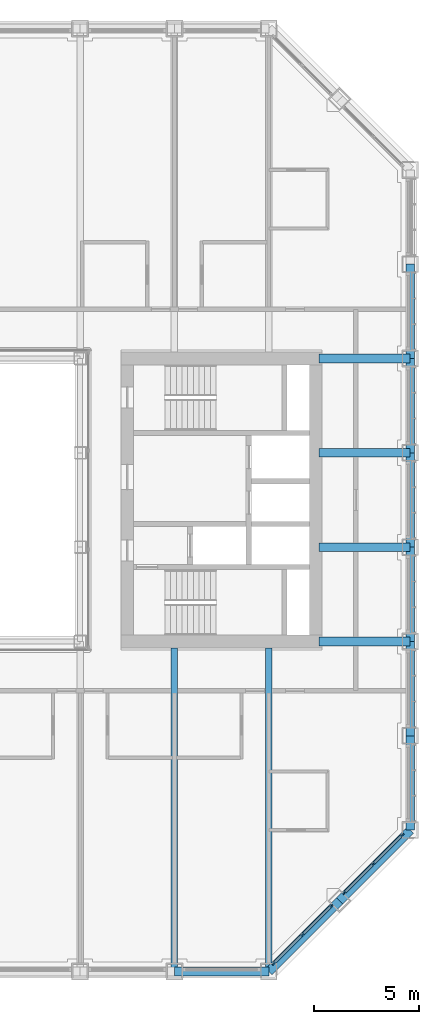
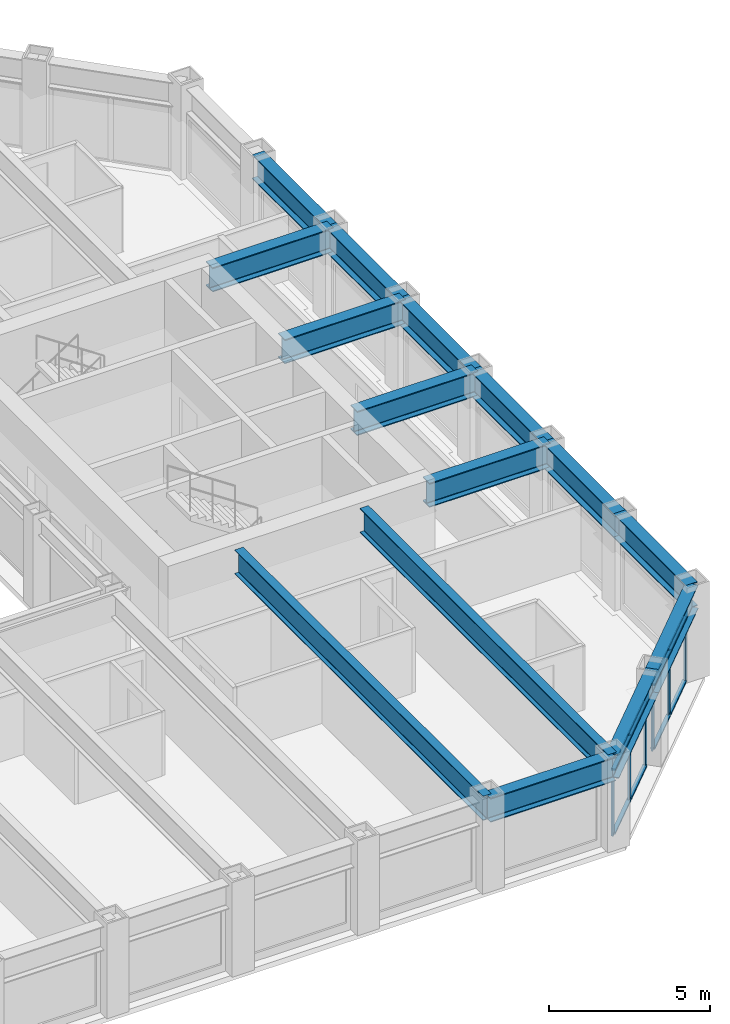
# One storey, part 6 of 17: 15 beams, 14 members, 2 elements without a shape of their own.
"""IFC4 building model written with IfcOpenShell, lengths in metres."""

from ifc_helpers import new_model, si_unit, direction, frame, origin, origin_2d, place, context, subcontext, project, spatial, rectangle, i_section, extrude, material, material_profile, profile_set, type_object, element, aggregate, save


model = new_model("IFC4")

# Units and contexts
model_context = context("Model", 3, precision=1e-05, world=origin(), true_north=direction((0.0, 1.0)))
body_context = subcontext(model_context, "Body", "Model", "MODEL_VIEW")
ifc_project = project(units=[si_unit("LENGTHUNIT", "METRE"), si_unit("AREAUNIT", "SQUARE_METRE"), si_unit("VOLUMEUNIT", "CUBIC_METRE"), si_unit("PLANEANGLEUNIT", "RADIAN"), si_unit("MASSUNIT", "GRAM", prefix="KILO")], contexts=[model_context])

# Site, building, storey
site_placement = place(None, origin())
site = spatial("IfcSite", under=ifc_project, at=site_placement, CompositionType="ELEMENT")
building_placement = place(site_placement, origin())
building = spatial("IfcBuilding", under=site, at=building_placement, Name="Msasa Ring Tower", CompositionType="ELEMENT")
storey_placement = place(building_placement, frame((0.0, 0.0, 132.800048828125)))
storey = spatial("IfcBuildingStorey", under=building, at=storey_placement, Name="L34", CompositionType="ELEMENT", Elevation=132.800048828125)

# Curtain wall, members
ifc_material_1 = material(Name="Aluminium curtain wall with clear glass", Category="aluminium")
curtain_wall_type = type_object("IfcCurtainWallType", Name="CW-C CHAMFER CORNER CURTAIN WALL", PredefinedType="NOTDEFINED", material=ifc_material_1)
curtain_wall_1_placement = place(storey_placement, origin())
curtain_wall_1 = element("IfcCurtainWall", 1, at=curtain_wall_1_placement, inside=storey, type_object=curtain_wall_type, Name="Chamfer corner curtain wall SE L34", PredefinedType="NOTDEFINED")
ifc_material_2 = material(Name="Aluminium mullion", Category="aluminium")
ifc_material_profile_1 = material_profile(ifc_material_2, rectangle(XDim=0.06494140625, YDim=0.179931640625, at=origin_2d()), Name="AL 65x180")
ifc_profile_set_1 = profile_set([ifc_material_profile_1], Name="Aluminium mullion")
member_type_1 = type_object("IfcMemberType", Name="CW-C MULLION 65x180", PredefinedType="MULLION", material=ifc_profile_set_1)
member_1_placement = place(storey_placement, frame((15.98876953125, -22.119873046875, 0.0), z_axis=(0.0, 0.0, 1.0), x_axis=(-0.707106781187, 0.707106781187, 0.0)))
member_1 = element("IfcMember", 2, at=member_1_placement, type_object=member_type_1, Name="CW-C mullion 1", PredefinedType="MULLION", context=body_context, shape_type="SweptSolid", body=[
    extrude(rectangle(XDim=0.06494140625, YDim=0.179931640625, at=origin_2d()), origin(), (0.0, 0.0, 1.0), 2.47900390625),
])
member_2_placement = place(storey_placement, frame((17.36669921875, -20.74169921875, 0.0), z_axis=(0.0, 0.0, 1.0), x_axis=(-0.707106781187, 0.707106781187, 0.0)))
member_2 = element("IfcMember", 3, at=member_2_placement, type_object=member_type_1, Name="CW-C mullion 2", PredefinedType="MULLION", context=body_context, shape_type="SweptSolid", body=[
    extrude(rectangle(XDim=0.06494140625, YDim=0.179931640625, at=origin_2d()), origin(), (0.0, 0.0, 1.0), 2.47900390625),
])
member_3_placement = place(storey_placement, frame((18.744873046875, -19.36376953125, 0.0), z_axis=(0.0, 0.0, 1.0), x_axis=(-0.707106781187, 0.707106781187, 0.0)))
member_3 = element("IfcMember", 4, at=member_3_placement, type_object=member_type_1, Name="CW-C mullion 3", PredefinedType="MULLION", context=body_context, shape_type="SweptSolid", body=[
    extrude(rectangle(XDim=0.06494140625, YDim=0.179931640625, at=origin_2d()), origin(), (0.0, 0.0, 1.0), 2.47900390625),
])

curtain_wall_2_placement = place(storey_placement, origin())
curtain_wall_2 = element("IfcCurtainWall", 5, at=curtain_wall_2_placement, inside=storey, type_object=curtain_wall_type, Name="Chamfer corner curtain wall SE L34", PredefinedType="NOTDEFINED")
member_4_placement = place(storey_placement, frame((19.36376953125, -18.744873046875, 0.0), z_axis=(0.0, 0.0, 1.0), x_axis=(-0.707106781187, 0.707106781187, 0.0)))
member_4 = element("IfcMember", 6, at=member_4_placement, type_object=member_type_1, Name="CW-C mullion 1", PredefinedType="MULLION", context=body_context, shape_type="SweptSolid", body=[
    extrude(rectangle(XDim=0.06494140625, YDim=0.179931640625, at=origin_2d()), origin(), (0.0, 0.0, 1.0), 2.47900390625),
])
member_5_placement = place(storey_placement, frame((20.74169921875, -17.36669921875, 0.0), z_axis=(0.0, 0.0, 1.0), x_axis=(-0.707106781187, 0.707106781187, 0.0)))
member_5 = element("IfcMember", 7, at=member_5_placement, type_object=member_type_1, Name="CW-C mullion 2", PredefinedType="MULLION", context=body_context, shape_type="SweptSolid", body=[
    extrude(rectangle(XDim=0.06494140625, YDim=0.179931640625, at=origin_2d()), origin(), (0.0, 0.0, 1.0), 2.47900390625),
])
member_6_placement = place(storey_placement, frame((22.119873046875, -15.98876953125, 0.0), z_axis=(0.0, 0.0, 1.0), x_axis=(-0.707106781187, 0.707106781187, 0.0)))
member_6 = element("IfcMember", 8, at=member_6_placement, type_object=member_type_1, Name="CW-C mullion 3", PredefinedType="MULLION", context=body_context, shape_type="SweptSolid", body=[
    extrude(rectangle(XDim=0.06494140625, YDim=0.179931640625, at=origin_2d()), origin(), (0.0, 0.0, 1.0), 2.47900390625),
])

# Member
ifc_material_3 = material(Name="Aluminium transom", Category="aluminium")
ifc_material_profile_2 = material_profile(ifc_material_3, rectangle(XDim=0.139892578125, YDim=0.06494140625, at=origin_2d()), Name="AL 65x140")
ifc_profile_set_2 = profile_set([ifc_material_profile_2], Name="Aluminium transom")
member_type_2 = type_object("IfcMemberType", Name="CW-C TRANSOM 65x140", PredefinedType="USERDEFINED", material=ifc_profile_set_2)
member_7_placement = place(storey_placement, frame((16.01171875, -22.096923828125, 0.032470703125), z_axis=(0.707106781187, 0.707106781187, 0.0), x_axis=(-0.707106781187, 0.707106781187, 0.0)))
member_7 = element("IfcMember", 9, at=member_7_placement, type_object=member_type_2, Name="CW-C transom 1.1", ObjectType="TRANSOM", PredefinedType="USERDEFINED", context=body_context, shape_type="SweptSolid", body=[
    extrude(rectangle(XDim=0.139892578125, YDim=0.06494140625, at=origin_2d()), origin(), (0.0, 0.0, 1.0), 1.8837890625),
])

member_8_placement = place(storey_placement, frame((16.01171875, -22.096923828125, 2.446533203125), z_axis=(0.707106781187, 0.707106781187, 0.0), x_axis=(-0.707106781187, 0.707106781187, 0.0)))
member_8 = element("IfcMember", 10, at=member_8_placement, type_object=member_type_2, Name="CW-C transom 1.2", ObjectType="TRANSOM", PredefinedType="USERDEFINED", context=body_context, shape_type="SweptSolid", body=[
    extrude(rectangle(XDim=0.139892578125, YDim=0.06494140625, at=origin_2d()), origin(), (0.0, 0.0, 1.0), 1.8837890625),
])

member_9_placement = place(storey_placement, frame((17.389892578125, -20.71875, 0.032470703125), z_axis=(0.707106781187, 0.707106781187, 0.0), x_axis=(-0.707106781187, 0.707106781187, 0.0)))
member_9 = element("IfcMember", 11, at=member_9_placement, type_object=member_type_2, Name="CW-C transom 2.1", ObjectType="TRANSOM", PredefinedType="USERDEFINED", context=body_context, shape_type="SweptSolid", body=[
    extrude(rectangle(XDim=0.139892578125, YDim=0.06494140625, at=origin_2d()), origin(), (0.0, 0.0, 1.0), 1.8837890625),
])

member_10_placement = place(storey_placement, frame((17.389892578125, -20.71875, 2.446533203125), z_axis=(0.707106781187, 0.707106781187, 0.0), x_axis=(-0.707106781187, 0.707106781187, 0.0)))
member_10 = element("IfcMember", 12, at=member_10_placement, type_object=member_type_2, Name="CW-C transom 2.2", ObjectType="TRANSOM", PredefinedType="USERDEFINED", context=body_context, shape_type="SweptSolid", body=[
    extrude(rectangle(XDim=0.139892578125, YDim=0.06494140625, at=origin_2d()), origin(), (0.0, 0.0, 1.0), 1.8837890625),
])

aggregate(curtain_wall_1, [member_1, member_2, member_3, member_7, member_8, member_9, member_10])

member_11_placement = place(storey_placement, frame((19.38671875, -18.721923828125, 0.032470703125), z_axis=(0.707106781187, 0.707106781187, 0.0), x_axis=(-0.707106781187, 0.707106781187, 0.0)))
member_11 = element("IfcMember", 13, at=member_11_placement, type_object=member_type_2, Name="CW-C transom 1.1", ObjectType="TRANSOM", PredefinedType="USERDEFINED", context=body_context, shape_type="SweptSolid", body=[
    extrude(rectangle(XDim=0.139892578125, YDim=0.06494140625, at=origin_2d()), origin(), (0.0, 0.0, 1.0), 1.8837890625),
])

member_12_placement = place(storey_placement, frame((19.38671875, -18.721923828125, 2.446533203125), z_axis=(0.707106781187, 0.707106781187, 0.0), x_axis=(-0.707106781187, 0.707106781187, 0.0)))
member_12 = element("IfcMember", 14, at=member_12_placement, type_object=member_type_2, Name="CW-C transom 1.2", ObjectType="TRANSOM", PredefinedType="USERDEFINED", context=body_context, shape_type="SweptSolid", body=[
    extrude(rectangle(XDim=0.139892578125, YDim=0.06494140625, at=origin_2d()), origin(), (0.0, 0.0, 1.0), 1.8837890625),
])

member_13_placement = place(storey_placement, frame((20.764892578125, -17.34375, 0.032470703125), z_axis=(0.707106781187, 0.707106781187, 0.0), x_axis=(-0.707106781187, 0.707106781187, 0.0)))
member_13 = element("IfcMember", 15, at=member_13_placement, type_object=member_type_2, Name="CW-C transom 2.1", ObjectType="TRANSOM", PredefinedType="USERDEFINED", context=body_context, shape_type="SweptSolid", body=[
    extrude(rectangle(XDim=0.139892578125, YDim=0.06494140625, at=origin_2d()), origin(), (0.0, 0.0, 1.0), 1.8837890625),
])

member_14_placement = place(storey_placement, frame((20.764892578125, -17.34375, 2.446533203125), z_axis=(0.707106781187, 0.707106781187, 0.0), x_axis=(-0.707106781187, 0.707106781187, 0.0)))
member_14 = element("IfcMember", 16, at=member_14_placement, type_object=member_type_2, Name="CW-C transom 2.2", ObjectType="TRANSOM", PredefinedType="USERDEFINED", context=body_context, shape_type="SweptSolid", body=[
    extrude(rectangle(XDim=0.139892578125, YDim=0.06494140625, at=origin_2d()), origin(), (0.0, 0.0, 1.0), 1.8837890625),
])

aggregate(curtain_wall_2, [member_4, member_5, member_6, member_11, member_12, member_13, member_14])

# Beams
ifc_material_4 = material(Name="Steel S355", Category="steel")
ifc_material_profile_3 = material_profile(ifc_material_4, i_section(OverallWidth=0.42041015625, OverallDepth=0.9208984375, WebThickness=0.021484375, FlangeThickness=0.03662109375, FilletRadius=0.024169921875, at=origin_2d()), Name="UB 914x419x388")
ifc_profile_set_3 = profile_set([ifc_material_profile_3], Name="Steel S355")
beam_type_1 = type_object("IfcBeamType", Name="FB2 UB 914x419x388", PredefinedType="BEAM", material=ifc_profile_set_3)
for number, where, z_axis, x_axis, name in (
    (17, (22.5, -2.25, 2.939453125), (-1.0, 0.0, 0.0), (0.0, -1.0, 0.0), "Floor beam E -2.25 under L35"),
    (18, (22.5, 2.25, 2.939453125), (-1.0, 0.0, 0.0), (0.0, -1.0, 0.0), "Floor beam E +2.25 under L35"),
):
    element("IfcBeam", number, at=place(storey_placement, frame(where, z_axis=z_axis, x_axis=x_axis)), inside=storey, type_object=beam_type_1, Name=name, PredefinedType="BEAM", context=body_context, shape_type="SweptSolid", body=[
        extrude(i_section(OverallWidth=0.42041015625, OverallDepth=0.9208984375, WebThickness=0.021484375, FlangeThickness=0.03662109375, FilletRadius=0.024169921875, at=origin_2d()), origin(), (0.0, 0.0, 1.0), 4.35009765625),
    ])
ifc_material_5 = material(Name="Steel S355", Category="steel")
ifc_material_profile_4 = material_profile(ifc_material_5, i_section(OverallWidth=0.3076171875, OverallDepth=0.926513671875, WebThickness=0.01953125, FlangeThickness=0.031982421875, FilletRadius=0.01904296875, at=origin_2d()), Name="UB 914x305x289")
ifc_profile_set_4 = profile_set([ifc_material_profile_4], Name="Steel S355")
beam_type_2 = type_object("IfcBeamType", Name="FB3 UB 914x305x289", PredefinedType="BEAM", material=ifc_profile_set_4)
for number, where, z_axis, x_axis, name in (
    (19, (11.25, -22.5, 2.936767578125), (0.0, 1.0, 0.0), (-1.0, 0.0, 0.0), "Floor beam S+11.25 under L35"),
    (20, (15.75, -22.5, 2.936767578125), (0.0, 1.0, 0.0), (-1.0, 0.0, 0.0), "Floor beam S+15.75 under L35"),
):
    element("IfcBeam", number, at=place(storey_placement, frame(where, z_axis=z_axis, x_axis=x_axis)), inside=storey, type_object=beam_type_2, Name=name, PredefinedType="BEAM", context=body_context, shape_type="SweptSolid", body=[
        extrude(i_section(OverallWidth=0.3076171875, OverallDepth=0.926513671875, WebThickness=0.01953125, FlangeThickness=0.031982421875, FilletRadius=0.01904296875, at=origin_2d()), origin(), (0.0, 0.0, 1.0), 15.449951171875),
    ])
ifc_material_6 = material(Name="Steel S355", Category="steel")
ifc_material_profile_5 = material_profile(ifc_material_6, i_section(OverallWidth=0.42041015625, OverallDepth=0.9208984375, WebThickness=0.021484375, FlangeThickness=0.03662109375, FilletRadius=0.024169921875, at=origin_2d()), Name="UB 914x419x388")
ifc_profile_set_5 = profile_set([ifc_material_profile_5], Name="Steel S355")
beam_type_3 = type_object("IfcBeamType", Name="GB1 UB 914x419x388", PredefinedType="BEAM", material=ifc_profile_set_5)
for number, where, z_axis, x_axis, name in (
    (21, (18.14990234375, 6.75, 2.939453125), (1.0, 0.0, 0.0), (0.0, 1.0, 0.0), "Girder E +6.75 under L35"),
    (22, (18.14990234375, -6.75, 2.939453125), (1.0, 0.0, 0.0), (0.0, 1.0, 0.0), "Girder E -6.75 under L35"),
):
    element("IfcBeam", number, at=place(storey_placement, frame(where, z_axis=z_axis, x_axis=x_axis)), inside=storey, type_object=beam_type_3, Name=name, PredefinedType="BEAM", context=body_context, shape_type="SweptSolid", body=[
        extrude(i_section(OverallWidth=0.42041015625, OverallDepth=0.9208984375, WebThickness=0.021484375, FlangeThickness=0.03662109375, FilletRadius=0.024169921875, at=origin_2d()), origin(), (0.0, 0.0, 1.0), 4.35009765625),
    ])
ifc_material_7 = material(Name="Steel S355", Category="steel")
ifc_material_profile_6 = material_profile(ifc_material_7, i_section(OverallWidth=0.42041015625, OverallDepth=0.9208984375, WebThickness=0.021484375, FlangeThickness=0.03662109375, FilletRadius=0.024169921875, at=origin_2d()), Name="UB 914x419x388")
ifc_profile_set_6 = profile_set([ifc_material_profile_6], Name="Steel S355")
beam_type_4 = type_object("IfcBeamType", Name="SB1 UB 914x419x388", PredefinedType="SPANDREL", material=ifc_profile_set_6)
beam_placement = place(storey_placement, frame((11.25, -22.5, 2.939453125), z_axis=(1.0, 0.0, 0.0), x_axis=(0.0, 1.0, 0.0)))
element("IfcBeam", 23, at=beam_placement, inside=storey, type_object=beam_type_4, Name="Spandrel S+11.25 to S+15.75 under L35", PredefinedType="SPANDREL", context=body_context, shape_type="SweptSolid", body=[
    extrude(i_section(OverallWidth=0.42041015625, OverallDepth=0.9208984375, WebThickness=0.021484375, FlangeThickness=0.03662109375, FilletRadius=0.024169921875, at=origin_2d()), origin(), (0.0, 0.0, 1.0), 4.5),
])
for number, where, z_axis, x_axis, name in (
    (24, (15.75, -22.5, 2.939453125), (0.707106781187, 0.707106781187, 0.0), (-0.707106781187, 0.707106781187, 0.0), "Spandrel S+15.75 to SE under L35"),
    (25, (19.125, -19.125, 2.939453125), (0.707106781187, 0.707106781187, 0.0), (-0.707106781187, 0.707106781187, 0.0), "Spandrel SE to E-15.75 under L35"),
):
    element("IfcBeam", number, at=place(storey_placement, frame(where, z_axis=z_axis, x_axis=x_axis)), inside=storey, type_object=beam_type_4, Name=name, PredefinedType="SPANDREL", context=body_context, shape_type="SweptSolid", body=[
        extrude(i_section(OverallWidth=0.42041015625, OverallDepth=0.9208984375, WebThickness=0.021484375, FlangeThickness=0.03662109375, FilletRadius=0.024169921875, at=origin_2d()), origin(), (0.0, 0.0, 1.0), 4.77294921875),
    ])
for number, where, z_axis, x_axis, name in (
    (26, (22.5, -15.75, 2.939453125), (0.0, 1.0, 0.0), (-1.0, 0.0, 0.0), "Spandrel E-15.75 to E-11.25 under L35"),
    (27, (22.5, -11.25, 2.939453125), (0.0, 1.0, 0.0), (-1.0, 0.0, 0.0), "Spandrel E-11.25 to E-6.75 under L35"),
    (28, (22.5, -6.75, 2.939453125), (0.0, 1.0, 0.0), (-1.0, 0.0, 0.0), "Spandrel E-6.75 to E-2.25 under L35"),
    (29, (22.5, -2.25, 2.939453125), (0.0, 1.0, 0.0), (-1.0, 0.0, 0.0), "Spandrel E-2.25 to E+2.25 under L35"),
    (30, (22.5, 2.25, 2.939453125), (0.0, 1.0, 0.0), (-1.0, 0.0, 0.0), "Spandrel E+2.25 to E+6.75 under L35"),
    (31, (22.5, 6.75, 2.939453125), (0.0, 1.0, 0.0), (-1.0, 0.0, 0.0), "Spandrel E+6.75 to E+11.25 under L35"),
):
    element("IfcBeam", number, at=place(storey_placement, frame(where, z_axis=z_axis, x_axis=x_axis)), inside=storey, type_object=beam_type_4, Name=name, PredefinedType="SPANDREL", context=body_context, shape_type="SweptSolid", body=[
        extrude(i_section(OverallWidth=0.42041015625, OverallDepth=0.9208984375, WebThickness=0.021484375, FlangeThickness=0.03662109375, FilletRadius=0.024169921875, at=origin_2d()), origin(), (0.0, 0.0, 1.0), 4.5),
    ])

save(model, "model.ifc")
